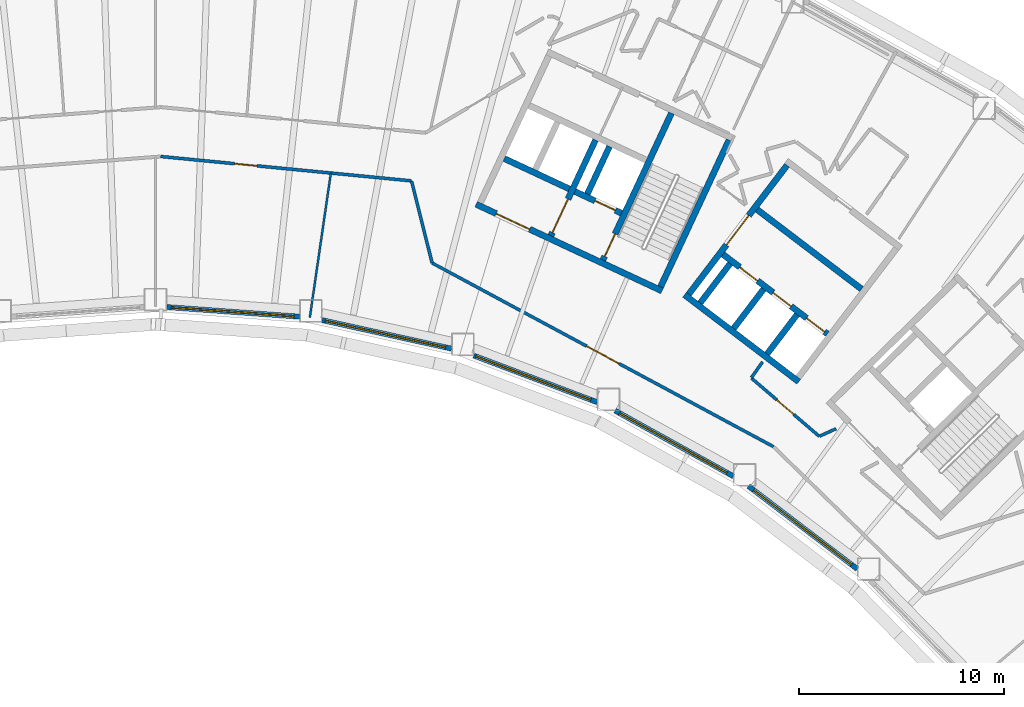
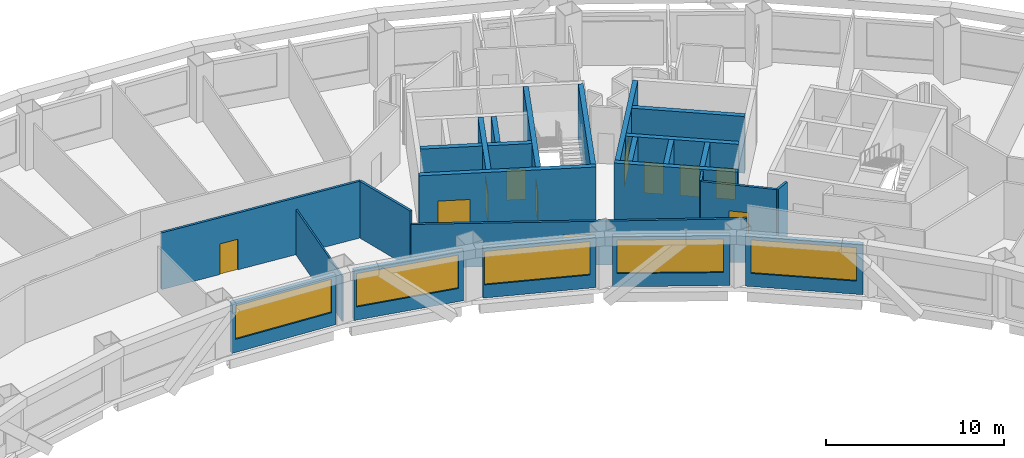
# One storey, part 6 of 16: 26 walls, 11 doors, 5 windows, 16 openings.
"""IFC4 building model written with IfcOpenShell, lengths in metres."""

from ifc_helpers import new_model, si_unit, direction, frame, frame_2d, origin, place, context, subcontext, project, spatial, rectangle, extrude, material, layer, layer_set, type_object, element, fill, save


model = new_model("IFC4")

# Units and contexts
model_context = context("Model", 3, precision=1e-05, world=origin(), true_north=direction((0.0, 1.0)))
body_context = subcontext(model_context, "Body", "Model", "MODEL_VIEW")
ifc_project = project(units=[si_unit("LENGTHUNIT", "METRE"), si_unit("AREAUNIT", "SQUARE_METRE"), si_unit("VOLUMEUNIT", "CUBIC_METRE"), si_unit("PLANEANGLEUNIT", "RADIAN"), si_unit("MASSUNIT", "GRAM", prefix="KILO")], contexts=[model_context])

# Site, building, storey
site_placement = place(None, origin())
site = spatial("IfcSite", under=ifc_project, at=site_placement, CompositionType="ELEMENT")
building_placement = place(site_placement, origin())
building = spatial("IfcBuilding", under=site, at=building_placement, Name="Tuul Gate Civic Tower", CompositionType="ELEMENT")
storey_placement = place(building_placement, frame((0.0, 0.0, 124.5)))
storey = spatial("IfcBuildingStorey", under=building, at=storey_placement, Name="Level 28", CompositionType="ELEMENT", Elevation=124.5)

# Wall, opening, door
ifc_material_1 = material(Name="Concrete C50/60", Category="concrete")
ifc_layer_1 = layer(ifc_material_1, 0.300048828125)
ifc_layer_set_1 = layer_set([ifc_layer_1], Name="Concrete C50/60")
wall_type_1 = type_object("IfcWallType", Name="Core wall C50/60", PredefinedType="SHEAR", material=ifc_layer_set_1)
wall_1_placement = place(storey_placement, frame((34.5283203125, -7.25, 0.0), z_axis=(0.0, 0.0, 1.0), x_axis=(-0.906310338845, 0.422612789327, 0.0)))
wall_1 = element("IfcWall", 1, at=wall_1_placement, inside=storey, type_object=wall_type_1, Name="Core wall", PredefinedType="SHEAR", context=body_context, shape_type="SweptSolid", body=[
    extrude(rectangle(XDim=9.999755859375, YDim=0.300048828125, at=frame_2d((5.0, 0.0))), origin(), (0.0, 0.0, 1.0), 3.89990234375),
])
opening_1_placement = place(wall_1_placement, frame((7.125, 0.0, 0.0)))
opening_1 = element("IfcOpeningElement", 2, at=opening_1_placement, cuts=wall_1, Name="Opening LB-E3-LOBBY-1", PredefinedType="OPENING", context=body_context, shape_type="SweptSolid", body=[
    extrude(rectangle(XDim=1.800048828125, YDim=2.10009765625, at=frame_2d((0.89990234375, 1.050048828125))), frame((0.0, 0.16015625, 0.0), z_axis=(0.0, -1.0, 0.0), x_axis=(1.0, 0.0, 0.0)), (0.0, 0.0, 1.0), 0.320068359375),
])
ifc_material_2 = material(Name="Steel", Category="steel")
door_type_1 = type_object("IfcDoorType", Name="Lobby door", OperationType="DOUBLE_DOOR_SINGLE_SWING", PredefinedType="DOOR", material=ifc_material_2)
door_1_placement = place(opening_1_placement, frame((1.800048828125, 0.0, 0.0), z_axis=(0.0, 0.0, 1.0), x_axis=(-1.0, 0.0, 0.0)))
door_1 = element("IfcDoor", 3, at=door_1_placement, inside=storey, type_object=door_type_1, Name="Lobby door E3-LOBBY", OperationType="DOUBLE_DOOR_SINGLE_SWING", OverallHeight=2.10009765625, OverallWidth=1.800048828125, PredefinedType="DOOR", context=body_context, shape_type="SweptSolid", body=[
    extrude(rectangle(XDim=1.800048828125, YDim=2.10009765625, at=frame_2d((0.900146484375, 1.050048828125))), frame((0.0, 0.02490234375, 0.0), z_axis=(0.0, -1.0, 0.0), x_axis=(1.0, 0.0, 0.0)), (0.0, 0.0, 1.0), 0.050048828125),
])
fill(opening_1, door_1)

wall_2_placement = place(storey_placement, frame((32.545654296875, -3.456787109375, 0.0), z_axis=(0.0, 0.0, 1.0), x_axis=(-0.906300357825, 0.42263419337, 0.0)))
wall_2 = element("IfcWall", 4, at=wall_2_placement, inside=storey, type_object=wall_type_1, Name="Core wall", PredefinedType="SHEAR", context=body_context, shape_type="SweptSolid", body=[
    extrude(rectangle(XDim=2.500244140625, YDim=0.300048828125, at=frame_2d((1.25, 0.0))), origin(), (0.0, 0.0, 1.0), 3.89990234375),
])
opening_2_placement = place(wall_2_placement, frame((0.324951171875, 0.0, 0.0)))
opening_2 = element("IfcOpeningElement", 5, at=opening_2_placement, cuts=wall_2, Name="Opening LD-FF-2", PredefinedType="OPENING", context=body_context, shape_type="SweptSolid", body=[
    extrude(rectangle(XDim=1.10009765625, YDim=2.10009765625, at=frame_2d((0.550048828125, 1.050048828125))), frame((0.0, 0.16015625, 0.0), z_axis=(0.0, -1.0, 0.0), x_axis=(1.0, 0.0, 0.0)), (0.0, 0.0, 1.0), 0.320068359375),
])
ifc_material_3 = material(Name="Stainless steel", Category="steel")
door_type_2 = type_object("IfcDoorType", Name="Landing door", OperationType="DOUBLE_DOOR_SLIDING", PredefinedType="DOOR", material=ifc_material_3)
door_2_placement = place(opening_2_placement, origin())
door_2 = element("IfcDoor", 6, at=door_2_placement, inside=storey, type_object=door_type_2, Name="Fire-fighting lift FF-2 landing door", OperationType="DOUBLE_DOOR_SLIDING", OverallHeight=2.10009765625, OverallWidth=1.10009765625, PredefinedType="DOOR", context=body_context, shape_type="SweptSolid", body=[
    extrude(rectangle(XDim=1.10009765625, YDim=2.10009765625, at=frame_2d((0.550048828125, 1.050048828125))), frame((0.0, 0.02490234375, 0.0), z_axis=(0.0, -1.0, 0.0), x_axis=(1.0, 0.0, 0.0)), (0.0, 0.0, 1.0), 0.050048828125),
])
fill(opening_2, door_2)

# Walls
wall_3_placement = place(storey_placement, frame((30.0078125, -2.2734375, 0.0), z_axis=(0.0, 0.0, 1.0), x_axis=(-0.90630071767, 0.422633421716, 0.0)))
element("IfcWall", 7, at=wall_3_placement, inside=storey, type_object=wall_type_1, Name="Core wall", PredefinedType="SHEAR", context=body_context, shape_type="SweptSolid", body=[
    extrude(rectangle(XDim=3.5, YDim=0.300048828125, at=frame_2d((1.75, 0.0))), origin(), (0.0, 0.0, 1.0), 3.89990234375),
])
wall_4_placement = place(storey_placement, frame((34.455810546875, -7.05078125, 0.0), z_axis=(0.0, 0.0, 1.0), x_axis=(0.422570768258, 0.906329932096, 0.0)))
element("IfcWall", 8, at=wall_4_placement, inside=storey, type_object=wall_type_1, Name="Core wall", PredefinedType="SHEAR", context=body_context, shape_type="SweptSolid", body=[
    extrude(rectangle(XDim=7.900146484375, YDim=0.300048828125, at=frame_2d((3.9501953125, 0.0))), origin(), (0.0, 0.0, 1.0), 3.89990234375),
])

# Wall, opening, door
wall_5_placement = place(storey_placement, frame((31.646240234375, -5.740478515625, 0.0), z_axis=(0.0, 0.0, 1.0), x_axis=(0.422582604137, 0.906324413596, 0.0)))
wall_5 = element("IfcWall", 9, at=wall_5_placement, inside=storey, type_object=wall_type_1, Name="Core wall", PredefinedType="SHEAR", context=body_context, shape_type="SweptSolid", body=[
    extrude(rectangle(XDim=7.89990234375, YDim=0.300048828125, at=frame_2d((3.949951171875, 0.0))), origin(), (0.0, 0.0, 1.0), 3.89990234375),
])
opening_3_placement = place(wall_5_placement, frame((0.199951171875, 0.0, 0.0)))
opening_3 = element("IfcOpeningElement", 10, at=opening_3_placement, cuts=wall_5, Name="Opening SD-ST-4", PredefinedType="OPENING", context=body_context, shape_type="SweptSolid", body=[
    extrude(rectangle(XDim=1.199951171875, YDim=2.10009765625, at=frame_2d((0.60009765625, 1.050048828125))), frame((0.0, 0.16015625, 0.0), z_axis=(0.0, -1.0, 0.0), x_axis=(1.0, 0.0, 0.0)), (0.0, 0.0, 1.0), 0.320068359375),
])
ifc_material_4 = material(Name="Steel", Category="steel")
door_type_3 = type_object("IfcDoorType", Name="Stair door", OperationType="NOTDEFINED", PredefinedType="DOOR", material=ifc_material_4)
door_3_placement = place(opening_3_placement, origin())
door_3 = element("IfcDoor", 11, at=door_3_placement, inside=storey, type_object=door_type_3, Name="Stair door ST-4", OperationType="SINGLE_SWING_LEFT", OverallHeight=2.10009765625, OverallWidth=1.199951171875, PredefinedType="DOOR", context=body_context, shape_type="SweptSolid", body=[
    extrude(rectangle(XDim=1.199951171875, YDim=2.10009765625, at=frame_2d((0.60009765625, 1.050048828125))), frame((0.0, 0.02490234375, 0.0), z_axis=(0.0, -1.0, 0.0), x_axis=(1.0, 0.0, 0.0)), (0.0, 0.0, 1.0), 0.050048828125),
])
fill(opening_3, door_3)

# Wall
wall_6_placement = place(storey_placement, frame((30.886962890625, -2.517822265625, 0.0), z_axis=(0.0, 0.0, 1.0), x_axis=(0.422612891016, 0.906310291427, 0.0)))
element("IfcWall", 12, at=wall_6_placement, inside=storey, type_object=wall_type_1, Name="Core wall", PredefinedType="SHEAR", context=body_context, shape_type="SweptSolid", body=[
    extrude(rectangle(XDim=2.550048828125, YDim=0.300048828125, at=frame_2d((1.27490234375, 0.0))), origin(), (0.0, 0.0, 1.0), 3.89990234375),
])

# Wall, opening, door
wall_7_placement = place(storey_placement, frame((29.108642578125, -4.557373046875, 0.0), z_axis=(0.0, 0.0, 1.0), x_axis=(0.422566235356, 0.90633204552, 0.0)))
wall_7 = element("IfcWall", 13, at=wall_7_placement, inside=storey, type_object=wall_type_1, Name="Core wall", PredefinedType="SHEAR", context=body_context, shape_type="SweptSolid", body=[
    extrude(rectangle(XDim=5.150146484375, YDim=0.300048828125, at=frame_2d((2.5751953125, 0.0))), origin(), (0.0, 0.0, 1.0), 3.89990234375),
])
opening_4_placement = place(wall_7_placement, frame((0.175048828125, 0.0, 0.0)))
opening_4 = element("IfcOpeningElement", 14, at=opening_4_placement, cuts=wall_7, Name="Opening LB-E3-FLOBBY-1", PredefinedType="OPENING", context=body_context, shape_type="SweptSolid", body=[
    extrude(rectangle(XDim=1.800048828125, YDim=2.10009765625, at=frame_2d((0.89990234375, 1.050048828125))), frame((0.0, 0.16015625, 0.0), z_axis=(0.0, -1.0, 0.0), x_axis=(1.0, 0.0, 0.0)), (0.0, 0.0, 1.0), 0.320068359375),
])
door_4_placement = place(opening_4_placement, frame((1.800048828125, 0.0, 0.0), z_axis=(0.0, 0.0, 1.0), x_axis=(-1.0, 0.0, 0.0)))
door_4 = element("IfcDoor", 15, at=door_4_placement, inside=storey, type_object=door_type_1, Name="Lobby door E3-FLOBBY", OperationType="DOUBLE_DOOR_SINGLE_SWING", OverallHeight=2.10009765625, OverallWidth=1.800048828125, PredefinedType="DOOR", context=body_context, shape_type="SweptSolid", body=[
    extrude(rectangle(XDim=1.800048828125, YDim=2.10009765625, at=frame_2d((0.900146484375, 1.050048828125))), frame((0.0, 0.02490234375, 0.0), z_axis=(0.0, -1.0, 0.0), x_axis=(1.0, 0.0, 0.0)), (0.0, 0.0, 1.0), 0.050048828125),
])
fill(opening_4, door_4)

ifc_material_5 = material(Name="Gypsum board partition")
ifc_layer_2 = layer(ifc_material_5, 0.14990234375)
ifc_layer_set_2 = layer_set([ifc_layer_2], Name="Gypsum board partition")
wall_type_2 = type_object("IfcWallType", Name="Corridor wall P150", PredefinedType="PARTITIONING", material=ifc_layer_set_2)
wall_8_placement = place(storey_placement, frame((38.884521484375, -11.499267578125, 0.0), z_axis=(0.0, 0.0, 1.0), x_axis=(0.758650385262, -0.651497960811, 0.0)))
wall_8 = element("IfcWall", 16, at=wall_8_placement, inside=storey, type_object=wall_type_2, Name="p016", PredefinedType="PARTITIONING", context=body_context, shape_type="SweptSolid", body=[
    extrude(rectangle(XDim=4.351806640625, YDim=0.14990234375, at=frame_2d((2.17578125, 0.0))), origin(), (0.0, 0.0, 1.0), 3.89990234375),
])
opening_5_placement = place(wall_8_placement, frame((1.6259765625, 0.0, 0.0)))
opening_5 = element("IfcOpeningElement", 17, at=opening_5_placement, cuts=wall_8, Name="Opening I-D03", PredefinedType="OPENING", context=body_context, shape_type="SweptSolid", body=[
    extrude(rectangle(XDim=1.10009765625, YDim=2.10009765625, at=frame_2d((0.550048828125, 1.050048828125))), frame((0.0, 0.0849609375, 0.0), z_axis=(0.0, -1.0, 0.0), x_axis=(1.0, 0.0, 0.0)), (0.0, 0.0, 1.0), 0.169921875),
])
ifc_material_6 = material(Name="Timber door leaf", Category="wood")
door_type_4 = type_object("IfcDoorType", Name="Door D11", OperationType="NOTDEFINED", PredefinedType="DOOR", material=ifc_material_6)
door_5_placement = place(opening_5_placement, origin())
door_5 = element("IfcDoor", 18, at=door_5_placement, inside=storey, type_object=door_type_4, Name="Door I-D03", OperationType="SINGLE_SWING_RIGHT", OverallHeight=2.10009765625, OverallWidth=1.10009765625, PredefinedType="DOOR", context=body_context, shape_type="SweptSolid", body=[
    extrude(rectangle(XDim=1.10009765625, YDim=2.10009765625, at=frame_2d((0.550048828125, 1.050048828125))), frame((0.0, 0.02490234375, 0.0), z_axis=(0.0, -1.0, 0.0), x_axis=(1.0, 0.0, 0.0)), (0.0, 0.0, 1.0), 0.050048828125),
])
fill(opening_5, door_5)

# Walls
wall_9_placement = place(storey_placement, frame((38.88525390625, -11.476806640625, 0.0), z_axis=(0.0, 0.0, 1.0), x_axis=(0.57613137156, 0.817357108432, 0.0)))
element("IfcWall", 19, at=wall_9_placement, inside=storey, type_object=wall_type_2, Name="p018", PredefinedType="PARTITIONING", context=body_context, shape_type="SweptSolid", body=[
    extrude(rectangle(XDim=0.938232421875, YDim=0.14990234375, at=frame_2d((0.46923828125, 0.0))), origin(), (0.0, 0.0, 1.0), 3.89990234375),
])
wall_10_placement = place(storey_placement, frame((42.203125, -14.334228515625, 0.0), z_axis=(0.0, 0.0, 1.0), x_axis=(0.910498515922, 0.413512336581, 0.0)))
element("IfcWall", 20, at=wall_10_placement, inside=storey, type_object=wall_type_2, Name="p020", PredefinedType="PARTITIONING", context=body_context, shape_type="SweptSolid", body=[
    extrude(rectangle(XDim=0.88623046875, YDim=0.14990234375, at=frame_2d((0.443115234375, 0.0))), origin(), (0.0, 0.0, 1.0), 3.89990234375),
])

# Wall, opening, door
wall_11_placement = place(storey_placement, frame((10.08349609375, -0.695068359375, 0.0), z_axis=(0.0, 0.0, 1.0), x_axis=(0.995306922349, -0.096768436615, 0.0)))
wall_11 = element("IfcWall", 21, at=wall_11_placement, inside=storey, type_object=wall_type_2, Name="p093", PredefinedType="PARTITIONING", context=body_context, shape_type="SweptSolid", body=[
    extrude(rectangle(XDim=12.276611328125, YDim=0.14990234375, at=frame_2d((6.13818359375, 0.0))), origin(), (0.0, 0.0, 1.0), 3.89990234375),
])
opening_6_placement = place(wall_11_placement, frame((3.6171875, 0.0, 0.0)))
opening_6 = element("IfcOpeningElement", 22, at=opening_6_placement, cuts=wall_11, Name="Opening I-D21", PredefinedType="OPENING", context=body_context, shape_type="SweptSolid", body=[
    extrude(rectangle(XDim=1.10009765625, YDim=2.10009765625, at=frame_2d((0.550048828125, 1.050048828125))), frame((0.0, 0.0849609375, 0.0), z_axis=(0.0, -1.0, 0.0), x_axis=(1.0, 0.0, 0.0)), (0.0, 0.0, 1.0), 0.169921875),
])
door_6_placement = place(opening_6_placement, frame((1.10009765625, 0.0, 0.0), z_axis=(0.0, 0.0, 1.0), x_axis=(-1.0, 0.0, 0.0)))
door_6 = element("IfcDoor", 23, at=door_6_placement, inside=storey, type_object=door_type_4, Name="Door I-D21", OperationType="SINGLE_SWING_LEFT", OverallHeight=2.10009765625, OverallWidth=1.10009765625, PredefinedType="DOOR", context=body_context, shape_type="SweptSolid", body=[
    extrude(rectangle(XDim=1.10009765625, YDim=2.10009765625, at=frame_2d((0.550048828125, 1.050048828125))), frame((0.0, 0.02490234375, 0.0), z_axis=(0.0, -1.0, 0.0), x_axis=(1.0, 0.0, 0.0)), (0.0, 0.0, 1.0), 0.050048828125),
])
fill(opening_6, door_6)

# Wall
wall_12_placement = place(storey_placement, frame((22.314697265625, -1.8974609375, 0.0), z_axis=(0.0, 0.0, 1.0), x_axis=(0.243415162546, -0.969922192056, 0.0)))
element("IfcWall", 24, at=wall_12_placement, inside=storey, type_object=wall_type_2, Name="p094", PredefinedType="PARTITIONING", context=body_context, shape_type="SweptSolid", body=[
    extrude(rectangle(XDim=4.1142578125, YDim=0.14990234375, at=frame_2d((2.05712890625, 0.0))), origin(), (0.0, 0.0, 1.0), 3.89990234375),
])

# Wall, opening, door
ifc_material_7 = material(Name="Gypsum board partition")
ifc_layer_3 = layer(ifc_material_7, 0.14990234375)
ifc_layer_set_3 = layer_set([ifc_layer_3], Name="Gypsum board partition")
wall_type_3 = type_object("IfcWallType", Name="Corridor wall P150 3000 HIGH", PredefinedType="PARTITIONING", material=ifc_layer_set_3)
wall_13_placement = place(storey_placement, frame((23.316162109375, -5.887939453125, 0.0), z_axis=(0.0, 0.0, 1.0), x_axis=(0.880609999569, -0.473841775975, 0.0)))
wall_13 = element("IfcWall", 25, at=wall_13_placement, inside=storey, type_object=wall_type_3, Name="p095", PredefinedType="PARTITIONING", context=body_context, shape_type="SweptSolid", body=[
    extrude(rectangle(XDim=18.90185546875, YDim=0.14990234375, at=frame_2d((9.450927734375, 0.0))), origin(), (0.0, 0.0, 1.0), 3.0),
])
opening_7_placement = place(wall_13_placement, frame((8.551025390625, 0.0, 0.0)))
opening_7 = element("IfcOpeningElement", 26, at=opening_7_placement, cuts=wall_13, Name="Opening I-D201", PredefinedType="OPENING", context=body_context, shape_type="SweptSolid", body=[
    extrude(rectangle(XDim=1.800048828125, YDim=2.10009765625, at=frame_2d((0.89990234375, 1.050048828125))), frame((0.0, 0.0849609375, 0.0), z_axis=(0.0, -1.0, 0.0), x_axis=(1.0, 0.0, 0.0)), (0.0, 0.0, 1.0), 0.169921875),
])
ifc_material_8 = material(Name="Timber door leaf, double", Category="wood")
door_type_5 = type_object("IfcDoorType", Name="Door D18", OperationType="DOUBLE_DOOR_SINGLE_SWING", PredefinedType="DOOR", material=ifc_material_8)
door_7_placement = place(opening_7_placement, frame((1.800048828125, 0.0, 0.0), z_axis=(0.0, 0.0, 1.0), x_axis=(-1.0, 0.0, 0.0)))
door_7 = element("IfcDoor", 27, at=door_7_placement, inside=storey, type_object=door_type_5, Name="Door I-D20", OperationType="DOUBLE_DOOR_SINGLE_SWING", OverallHeight=2.10009765625, OverallWidth=1.800048828125, PredefinedType="DOOR", context=body_context, shape_type="SweptSolid", body=[
    extrude(rectangle(XDim=1.800048828125, YDim=2.10009765625, at=frame_2d((0.900146484375, 1.050048828125))), frame((0.0, 0.02490234375, 0.0), z_axis=(0.0, -1.0, 0.0), x_axis=(1.0, 0.0, 0.0)), (0.0, 0.0, 1.0), 0.050048828125),
])
fill(opening_7, door_7)

# Wall, opening, window
ifc_material_9 = material(Name="Precast concrete C40/50", Category="concrete")
ifc_layer_4 = layer(ifc_material_9, 0.25)
ifc_layer_set_4 = layer_set([ifc_layer_4], Name="Precast concrete C40/50")
wall_type_4 = type_object("IfcWallType", Name="External wall", PredefinedType="STANDARD", material=ifc_layer_set_4)
wall_14_placement = place(storey_placement, frame((10.37890625, -8.035400390625, 0.0), z_axis=(0.0, 0.0, 1.0), x_axis=(0.997392965156, -0.072161437464, 0.0)))
wall_14 = element("IfcWall", 28, at=wall_14_placement, inside=storey, type_object=wall_type_4, Name="External wall", PredefinedType="STANDARD", context=body_context, shape_type="SweptSolid", body=[
    extrude(rectangle(XDim=6.489013671875, YDim=0.25, at=frame_2d((3.24462890625, 0.0))), origin(), (0.0, 0.0, 1.0), 3.449951171875),
])
opening_8_placement = place(wall_14_placement, frame((0.220947265625, 0.0, 0.89990234375)))
opening_8 = element("IfcOpeningElement", 29, at=opening_8_placement, cuts=wall_14, Name="Opening W26", PredefinedType="OPENING", context=body_context, shape_type="SweptSolid", body=[
    extrude(rectangle(XDim=6.0, YDim=2.300048828125, at=frame_2d((3.0, 1.14990234375))), frame((0.0, 0.135009765625, 0.0), z_axis=(0.0, -1.0, 0.0), x_axis=(1.0, 0.0, 0.0)), (0.0, 0.0, 1.0), 0.27001953125),
])
ifc_material_10 = material(Name="Glass", Category="glass")
window_type = type_object("IfcWindowType", Name="Window W26 6000 x 2300", PartitioningType="SINGLE_PANEL", PredefinedType="WINDOW", material=ifc_material_10)
window_1_placement = place(opening_8_placement, origin())
window_1 = element("IfcWindow", 30, at=window_1_placement, inside=storey, type_object=window_type, Name="Window", OverallHeight=2.300048828125, OverallWidth=6.0, PartitioningType="SINGLE_PANEL", PredefinedType="WINDOW", context=body_context, shape_type="SweptSolid", body=[
    extrude(rectangle(XDim=6.0, YDim=2.300048828125, at=frame_2d((3.0, 1.14990234375))), frame((0.0, 0.030029296875, 0.0), z_axis=(0.0, -1.0, 0.0), x_axis=(1.0, 0.0, 0.0)), (0.0, 0.0, 1.0), 0.06005859375),
])
fill(opening_8, window_1)

wall_15_placement = place(storey_placement, frame((17.950927734375, -8.671630859375, 0.0), z_axis=(0.0, 0.0, 1.0), x_axis=(0.976562304854, -0.215234905949, 0.0)))
wall_15 = element("IfcWall", 31, at=wall_15_placement, inside=storey, type_object=wall_type_4, Name="External wall", PredefinedType="STANDARD", context=body_context, shape_type="SweptSolid", body=[
    extrude(rectangle(XDim=6.465576171875, YDim=0.25, at=frame_2d((3.23291015625, 0.0))), origin(), (0.0, 0.0, 1.0), 3.449951171875),
])
opening_9_placement = place(wall_15_placement, frame((0.160888671875, 0.0, 0.89990234375)))
opening_9 = element("IfcOpeningElement", 32, at=opening_9_placement, cuts=wall_15, Name="Opening W26", PredefinedType="OPENING", context=body_context, shape_type="SweptSolid", body=[
    extrude(rectangle(XDim=6.0, YDim=2.300048828125, at=frame_2d((3.0, 1.14990234375))), frame((0.0, 0.135009765625, 0.0), z_axis=(0.0, -1.0, 0.0), x_axis=(1.0, 0.0, 0.0)), (0.0, 0.0, 1.0), 0.27001953125),
])
window_2_placement = place(opening_9_placement, origin())
window_2 = element("IfcWindow", 33, at=window_2_placement, inside=storey, type_object=window_type, Name="Window", OverallHeight=2.300048828125, OverallWidth=6.0, PartitioningType="SINGLE_PANEL", PredefinedType="WINDOW", context=body_context, shape_type="SweptSolid", body=[
    extrude(rectangle(XDim=6.0, YDim=2.300048828125, at=frame_2d((3.0, 1.14990234375))), frame((0.0, 0.030029296875, 0.0), z_axis=(0.0, -1.0, 0.0), x_axis=(1.0, 0.0, 0.0)), (0.0, 0.0, 1.0), 0.06005859375),
])
fill(opening_9, window_2)

wall_16_placement = place(storey_placement, frame((25.3515625, -10.402099609375, 0.0), z_axis=(0.0, 0.0, 1.0), x_axis=(0.93537217804, -0.353664938252, 0.0)))
wall_16 = element("IfcWall", 34, at=wall_16_placement, inside=storey, type_object=wall_type_4, Name="External wall", PredefinedType="STANDARD", context=body_context, shape_type="SweptSolid", body=[
    extrude(rectangle(XDim=6.428955078125, YDim=0.25, at=frame_2d((3.21435546875, 0.0))), origin(), (0.0, 0.0, 1.0), 3.449951171875),
])
opening_10_placement = place(wall_16_placement, frame((0.09912109375, 0.0, 0.89990234375)))
opening_10 = element("IfcOpeningElement", 35, at=opening_10_placement, cuts=wall_16, Name="Opening W26", PredefinedType="OPENING", context=body_context, shape_type="SweptSolid", body=[
    extrude(rectangle(XDim=6.0, YDim=2.300048828125, at=frame_2d((3.0, 1.14990234375))), frame((0.0, 0.135009765625, 0.0), z_axis=(0.0, -1.0, 0.0), x_axis=(1.0, 0.0, 0.0)), (0.0, 0.0, 1.0), 0.27001953125),
])
window_3_placement = place(opening_10_placement, origin())
window_3 = element("IfcWindow", 36, at=window_3_placement, inside=storey, type_object=window_type, Name="Window", OverallHeight=2.300048828125, OverallWidth=6.0, PartitioningType="SINGLE_PANEL", PredefinedType="WINDOW", context=body_context, shape_type="SweptSolid", body=[
    extrude(rectangle(XDim=6.0, YDim=2.300048828125, at=frame_2d((3.0, 1.14990234375))), frame((0.0, 0.030029296875, 0.0), z_axis=(0.0, -1.0, 0.0), x_axis=(1.0, 0.0, 0.0)), (0.0, 0.0, 1.0), 0.06005859375),
])
fill(opening_10, window_3)

wall_17_placement = place(storey_placement, frame((32.23828125, -13.0869140625, 0.0), z_axis=(0.0, 0.0, 1.0), x_axis=(0.87460054833, -0.484844182042, 0.0)))
wall_17 = element("IfcWall", 37, at=wall_17_placement, inside=storey, type_object=wall_type_4, Name="External wall", PredefinedType="STANDARD", context=body_context, shape_type="SweptSolid", body=[
    extrude(rectangle(XDim=6.593505859375, YDim=0.25, at=frame_2d((3.296875, 0.0))), origin(), (0.0, 0.0, 1.0), 3.449951171875),
])
opening_11_placement = place(wall_17_placement, frame((0.2470703125, 0.0, 0.89990234375)))
opening_11 = element("IfcOpeningElement", 38, at=opening_11_placement, cuts=wall_17, Name="Opening W26", PredefinedType="OPENING", context=body_context, shape_type="SweptSolid", body=[
    extrude(rectangle(XDim=6.0, YDim=2.300048828125, at=frame_2d((3.0, 1.14990234375))), frame((0.0, 0.135009765625, 0.0), z_axis=(0.0, -1.0, 0.0), x_axis=(1.0, 0.0, 0.0)), (0.0, 0.0, 1.0), 0.27001953125),
])
window_4_placement = place(opening_11_placement, origin())
window_4 = element("IfcWindow", 39, at=window_4_placement, inside=storey, type_object=window_type, Name="Window", OverallHeight=2.300048828125, OverallWidth=6.0, PartitioningType="SINGLE_PANEL", PredefinedType="WINDOW", context=body_context, shape_type="SweptSolid", body=[
    extrude(rectangle(XDim=6.0, YDim=2.300048828125, at=frame_2d((3.0, 1.14990234375))), frame((0.0, 0.030029296875, 0.0), z_axis=(0.0, -1.0, 0.0), x_axis=(1.0, 0.0, 0.0)), (0.0, 0.0, 1.0), 0.06005859375),
])
fill(opening_11, window_4)

wall_18_placement = place(storey_placement, frame((38.74267578125, -16.76806640625, 0.0), z_axis=(0.0, 0.0, 1.0), x_axis=(0.795574625886, -0.605855605442, 0.0)))
wall_18 = element("IfcWall", 40, at=wall_18_placement, inside=storey, type_object=wall_type_4, Name="External wall", PredefinedType="STANDARD", context=body_context, shape_type="SweptSolid", body=[
    extrude(rectangle(XDim=6.666015625, YDim=0.25, at=frame_2d((3.3330078125, 0.0))), origin(), (0.0, 0.0, 1.0), 3.449951171875),
])
opening_12_placement = place(wall_18_placement, frame((0.313232421875, 0.0, 0.89990234375)))
opening_12 = element("IfcOpeningElement", 41, at=opening_12_placement, cuts=wall_18, Name="Opening W26", PredefinedType="OPENING", context=body_context, shape_type="SweptSolid", body=[
    extrude(rectangle(XDim=6.0, YDim=2.300048828125, at=frame_2d((3.0, 1.14990234375))), frame((0.0, 0.135009765625, 0.0), z_axis=(0.0, -1.0, 0.0), x_axis=(1.0, 0.0, 0.0)), (0.0, 0.0, 1.0), 0.27001953125),
])
window_5_placement = place(opening_12_placement, origin())
window_5 = element("IfcWindow", 42, at=window_5_placement, inside=storey, type_object=window_type, Name="Window", OverallHeight=2.300048828125, OverallWidth=6.0, PartitioningType="SINGLE_PANEL", PredefinedType="WINDOW", context=body_context, shape_type="SweptSolid", body=[
    extrude(rectangle(XDim=6.0, YDim=2.300048828125, at=frame_2d((3.0, 1.14990234375))), frame((0.0, 0.030029296875, 0.0), z_axis=(0.0, -1.0, 0.0), x_axis=(1.0, 0.0, 0.0)), (0.0, 0.0, 1.0), 0.06005859375),
])
fill(opening_12, window_5)

# Wall
ifc_material_11 = material(Name="Concrete C40/50", Category="concrete")
ifc_layer_5 = layer(ifc_material_11, 0.300048828125)
ifc_layer_set_5 = layer_set([ifc_layer_5], Name="Concrete C40/50")
wall_type_5 = type_object("IfcWallType", Name="Lift shaft wall C40/50", PredefinedType="STANDARD", material=ifc_layer_set_5)
wall_19_placement = place(storey_placement, frame((41.19189453125, -11.677734375, 0.0), z_axis=(0.0, 0.0, 1.0), x_axis=(-0.795563000331, 0.605870871147, 0.0)))
element("IfcWall", 43, at=wall_19_placement, inside=storey, type_object=wall_type_5, Name="Shaft wall", PredefinedType="STANDARD", context=body_context, shape_type="SweptSolid", body=[
    extrude(rectangle(XDim=7.000244140625, YDim=0.300048828125, at=frame_2d((3.5, 0.0))), origin(), (0.0, 0.0, 1.0), 3.89990234375),
])

# Wall, openings, doors
wall_20_placement = place(storey_placement, frame((42.5888671875, -9.34765625, 0.0), z_axis=(0.0, 0.0, 1.0), x_axis=(-0.795584062101, 0.605843214149, 0.0)))
wall_20 = element("IfcWall", 44, at=wall_20_placement, inside=storey, type_object=wall_type_5, Name="Shaft wall", PredefinedType="STANDARD", context=body_context, shape_type="SweptSolid", body=[
    extrude(rectangle(XDim=6.400146484375, YDim=0.300048828125, at=frame_2d((3.2001953125, 0.0))), origin(), (0.0, 0.0, 1.0), 3.89990234375),
])
opening_13_placement = place(wall_20_placement, frame((0.175048828125, 0.0, 0.0)))
opening_13 = element("IfcOpeningElement", 45, at=opening_13_placement, cuts=wall_20, Name="Opening LD-L1", PredefinedType="OPENING", context=body_context, shape_type="SweptSolid", body=[
    extrude(rectangle(XDim=1.10009765625, YDim=2.10009765625, at=frame_2d((0.550048828125, 1.050048828125))), frame((0.0, 0.16015625, 0.0), z_axis=(0.0, -1.0, 0.0), x_axis=(1.0, 0.0, 0.0)), (0.0, 0.0, 1.0), 0.320068359375),
])
opening_14_placement = place(wall_20_placement, frame((2.22509765625, 0.0, 0.0)))
opening_14 = element("IfcOpeningElement", 46, at=opening_14_placement, cuts=wall_20, Name="Opening LD-L2", PredefinedType="OPENING", context=body_context, shape_type="SweptSolid", body=[
    extrude(rectangle(XDim=1.10009765625, YDim=2.10009765625, at=frame_2d((0.550048828125, 1.050048828125))), frame((0.0, 0.16015625, 0.0), z_axis=(0.0, -1.0, 0.0), x_axis=(1.0, 0.0, 0.0)), (0.0, 0.0, 1.0), 0.320068359375),
])
opening_15_placement = place(wall_20_placement, frame((4.27490234375, 0.0, 0.0)))
opening_15 = element("IfcOpeningElement", 47, at=opening_15_placement, cuts=wall_20, Name="Opening LD-L3", PredefinedType="OPENING", context=body_context, shape_type="SweptSolid", body=[
    extrude(rectangle(XDim=1.10009765625, YDim=2.10009765625, at=frame_2d((0.550048828125, 1.050048828125))), frame((0.0, 0.16015625, 0.0), z_axis=(0.0, -1.0, 0.0), x_axis=(1.0, 0.0, 0.0)), (0.0, 0.0, 1.0), 0.320068359375),
])
door_8_placement = place(opening_13_placement, origin())
door_8 = element("IfcDoor", 48, at=door_8_placement, inside=storey, type_object=door_type_2, Name="Low-rise lift L1 landing door", OperationType="DOUBLE_DOOR_SLIDING", OverallHeight=2.10009765625, OverallWidth=1.10009765625, PredefinedType="DOOR", context=body_context, shape_type="SweptSolid", body=[
    extrude(rectangle(XDim=1.10009765625, YDim=2.10009765625, at=frame_2d((0.550048828125, 1.050048828125))), frame((0.0, 0.02490234375, 0.0), z_axis=(0.0, -1.0, 0.0), x_axis=(1.0, 0.0, 0.0)), (0.0, 0.0, 1.0), 0.050048828125),
])
fill(opening_13, door_8)
door_9_placement = place(opening_14_placement, origin())
door_9 = element("IfcDoor", 49, at=door_9_placement, inside=storey, type_object=door_type_2, Name="Low-rise lift L2 landing door", OperationType="DOUBLE_DOOR_SLIDING", OverallHeight=2.10009765625, OverallWidth=1.10009765625, PredefinedType="DOOR", context=body_context, shape_type="SweptSolid", body=[
    extrude(rectangle(XDim=1.10009765625, YDim=2.10009765625, at=frame_2d((0.550048828125, 1.050048828125))), frame((0.0, 0.02490234375, 0.0), z_axis=(0.0, -1.0, 0.0), x_axis=(1.0, 0.0, 0.0)), (0.0, 0.0, 1.0), 0.050048828125),
])
fill(opening_14, door_9)
door_10_placement = place(opening_15_placement, origin())
door_10 = element("IfcDoor", 50, at=door_10_placement, inside=storey, type_object=door_type_2, Name="Low-rise lift L3 landing door", OperationType="DOUBLE_DOOR_SLIDING", OverallHeight=2.10009765625, OverallWidth=1.10009765625, PredefinedType="DOOR", context=body_context, shape_type="SweptSolid", body=[
    extrude(rectangle(XDim=1.10009765625, YDim=2.10009765625, at=frame_2d((0.550048828125, 1.050048828125))), frame((0.0, 0.02490234375, 0.0), z_axis=(0.0, -1.0, 0.0), x_axis=(1.0, 0.0, 0.0)), (0.0, 0.0, 1.0), 0.050048828125),
])
fill(opening_15, door_10)

# Walls
wall_21_placement = place(storey_placement, frame((44.254638671875, -7.15966796875, 0.0), z_axis=(0.0, 0.0, 1.0), x_axis=(-0.795565675562, 0.605867358312, 0.0)))
element("IfcWall", 51, at=wall_21_placement, inside=storey, type_object=wall_type_5, Name="Shaft wall", PredefinedType="STANDARD", context=body_context, shape_type="SweptSolid", body=[
    extrude(rectangle(XDim=6.400146484375, YDim=0.300048828125, at=frame_2d((3.2001953125, 0.0))), origin(), (0.0, 0.0, 1.0), 3.89990234375),
])
wall_22_placement = place(storey_placement, frame((39.65185546875, -10.31640625, 0.0), z_axis=(0.0, 0.0, 1.0), x_axis=(0.605745892068, 0.79565816419, 0.0)))
element("IfcWall", 52, at=wall_22_placement, inside=storey, type_object=wall_type_5, Name="Shaft wall", PredefinedType="STANDARD", context=body_context, shape_type="SweptSolid", body=[
    extrude(rectangle(XDim=2.400146484375, YDim=0.300048828125, at=frame_2d((1.2001953125, 0.0))), origin(), (0.0, 0.0, 1.0), 3.89990234375),
])
wall_23_placement = place(storey_placement, frame((38.02099609375, -9.07421875, 0.0), z_axis=(0.0, 0.0, 1.0), x_axis=(0.605730519254, 0.795669867498, 0.0)))
element("IfcWall", 53, at=wall_23_placement, inside=storey, type_object=wall_type_5, Name="Shaft wall", PredefinedType="STANDARD", context=body_context, shape_type="SweptSolid", body=[
    extrude(rectangle(XDim=2.399658203125, YDim=0.300048828125, at=frame_2d((1.19970703125, 0.0))), origin(), (0.0, 0.0, 1.0), 3.89990234375),
])
wall_24_placement = place(storey_placement, frame((36.389892578125, -7.832275390625, 0.0), z_axis=(0.0, 0.0, 1.0), x_axis=(0.605745892068, 0.79565816419, 0.0)))
element("IfcWall", 54, at=wall_24_placement, inside=storey, type_object=wall_type_5, Name="Shaft wall", PredefinedType="STANDARD", context=body_context, shape_type="SweptSolid", body=[
    extrude(rectangle(XDim=2.400146484375, YDim=0.300048828125, at=frame_2d((1.2001953125, 0.0))), origin(), (0.0, 0.0, 1.0), 3.89990234375),
])

# Wall, opening, door
wall_25_placement = place(storey_placement, frame((35.8330078125, -7.408203125, 0.0), z_axis=(0.0, 0.0, 1.0), x_axis=(0.605769437763, 0.795640237967, 0.0)))
wall_25 = element("IfcWall", 55, at=wall_25_placement, inside=storey, type_object=wall_type_5, Name="Shaft wall", PredefinedType="STANDARD", context=body_context, shape_type="SweptSolid", body=[
    extrude(rectangle(XDim=7.900146484375, YDim=0.300048828125, at=frame_2d((3.9501953125, 0.0))), origin(), (0.0, 0.0, 1.0), 3.89990234375),
])
opening_16_placement = place(wall_25_placement, frame((3.02490234375, 0.0, 0.0)))
opening_16 = element("IfcOpeningElement", 56, at=opening_16_placement, cuts=wall_25, Name="Opening LB-E2-LOBBY-1", PredefinedType="OPENING", context=body_context, shape_type="SweptSolid", body=[
    extrude(rectangle(XDim=1.800048828125, YDim=2.10009765625, at=frame_2d((0.89990234375, 1.050048828125))), frame((0.0, 0.16015625, 0.0), z_axis=(0.0, -1.0, 0.0), x_axis=(1.0, 0.0, 0.0)), (0.0, 0.0, 1.0), 0.320068359375),
])
door_11_placement = place(opening_16_placement, frame((1.800048828125, 0.0, 0.0), z_axis=(0.0, 0.0, 1.0), x_axis=(-1.0, 0.0, 0.0)))
door_11 = element("IfcDoor", 57, at=door_11_placement, inside=storey, type_object=door_type_1, Name="Lobby door E2-LOBBY", OperationType="DOUBLE_DOOR_SINGLE_SWING", OverallHeight=2.10009765625, OverallWidth=1.800048828125, PredefinedType="DOOR", context=body_context, shape_type="SweptSolid", body=[
    extrude(rectangle(XDim=1.800048828125, YDim=2.10009765625, at=frame_2d((0.900146484375, 1.050048828125))), frame((0.0, 0.02490234375, 0.0), z_axis=(0.0, -1.0, 0.0), x_axis=(1.0, 0.0, 0.0)), (0.0, 0.0, 1.0), 0.050048828125),
])
fill(opening_16, door_11)

# Wall
ifc_material_12 = material(Name="Gypsum board partition")
ifc_layer_6 = layer(ifc_material_12, 0.10009765625)
ifc_layer_set_6 = layer_set([ifc_layer_6], Name="Gypsum board partition")
wall_type_6 = type_object("IfcWallType", Name="Partition P100 3100 HIGH", PredefinedType="PARTITIONING", material=ifc_layer_set_6)
wall_26_placement = place(storey_placement, frame((17.35302734375, -8.544921875, 0.0), z_axis=(0.0, 0.0, 1.0), x_axis=(0.144134057807, 0.989558170791, 0.0)))
element("IfcWall", 58, at=wall_26_placement, inside=storey, type_object=wall_type_6, Name="p058", PredefinedType="PARTITIONING", context=body_context, shape_type="SweptSolid", body=[
    extrude(rectangle(XDim=7.117431640625, YDim=0.10009765625, at=frame_2d((3.55859375, 0.0))), origin(), (0.0, 0.0, 1.0), 3.10009765625),
])

save(model, "model.ifc")
